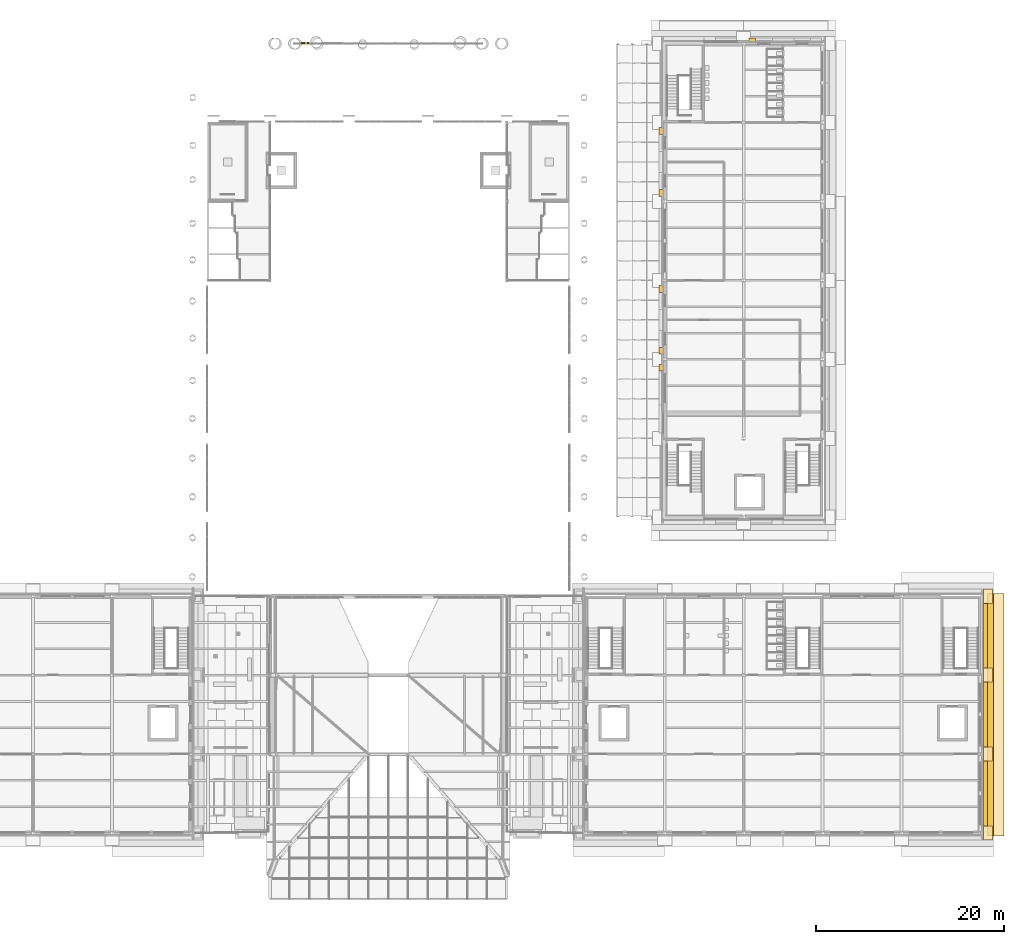
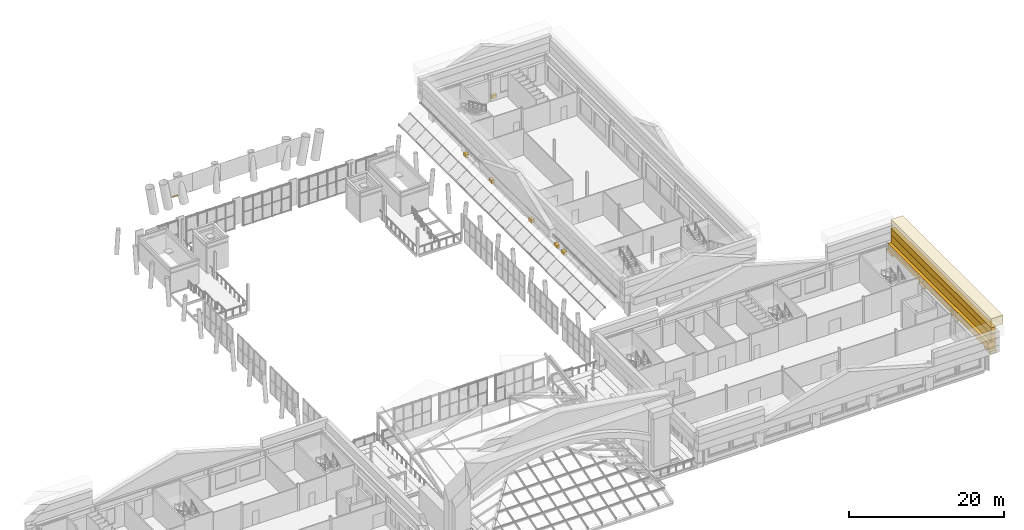
# One storey, part 74 of 76: 15 coverings.
"""IFC4 building model written with IfcOpenShell, lengths in metres."""

from ifc_helpers import new_model, si_unit, direction, frame, origin, origin_2d, place, context, subcontext, project, spatial, rectangle, extrude, material, layer, layer_set, material_profile, profile_set, type_object, element, save


model = new_model("IFC4")

# Units and contexts
model_context = context("Model", 3, precision=1e-05, world=origin(), true_north=direction((0.0, 1.0)))
body_context = subcontext(model_context, "Body", "Model", "MODEL_VIEW")
ifc_project = project(units=[si_unit("LENGTHUNIT", "METRE"), si_unit("AREAUNIT", "SQUARE_METRE"), si_unit("VOLUMEUNIT", "CUBIC_METRE"), si_unit("PLANEANGLEUNIT", "RADIAN"), si_unit("MASSUNIT", "GRAM", prefix="KILO")], contexts=[model_context])

# Site, building, storey
site_placement = place(None, origin())
site = spatial("IfcSite", under=ifc_project, at=site_placement, CompositionType="ELEMENT")
building_placement = place(site_placement, origin())
building = spatial("IfcBuilding", under=site, at=building_placement, Name="Sava Quay Ferry Terminal", CompositionType="ELEMENT")
storey_placement = place(building_placement, frame((0.0, 0.0, 10.800048828125)))
storey = spatial("IfcBuildingStorey", under=building, at=storey_placement, Name="L02", CompositionType="ELEMENT", Elevation=10.800048828125)

# Coverings
ifc_material_1 = material(Name="Limestone Mutalj", Category="masonry")
ifc_layer_1 = layer(ifc_material_1, 1.75)
ifc_layer_set_1 = layer_set([ifc_layer_1], Name="Limestone Mutalj")
covering_type_1 = type_object("IfcCoveringType", Name="Attic crown cornice 1400", PredefinedType="MOLDING", material=ifc_layer_set_1)
covering_1_placement = place(storey_placement, frame((127.625, 37.800048828125, 6.39990234375), z_axis=(0.0, 0.0, 1.0), x_axis=(1.0, 0.0, 0.0)))
element("IfcCovering", 1, at=covering_1_placement, inside=storey, type_object=covering_type_1, Name="Attic crown cornice", PredefinedType="MOLDING", context=body_context, shape_type="SweptSolid", body=[
    extrude(rectangle(XDim=1.75, YDim=25.820068359375, at=origin_2d()), origin(), (0.0, 0.0, 1.0), 1.39990234375),
])
ifc_material_2 = material(Name="Limestone Mutalj", Category="masonry")
ifc_layer_2 = layer(ifc_material_2, 0.64990234375)
ifc_layer_set_2 = layer_set([ifc_layer_2], Name="Limestone Mutalj")
covering_type_2 = type_object("IfcCoveringType", Name="Attic frieze 1000", PredefinedType="CLADDING", material=ifc_layer_set_2)
covering_2_placement = place(storey_placement, frame((127.074951171875, 37.800048828125, 5.39990234375), z_axis=(0.0, 0.0, 1.0), x_axis=(1.0, 0.0, 0.0)))
element("IfcCovering", 2, at=covering_2_placement, inside=storey, type_object=covering_type_2, Name="Attic frieze", PredefinedType="CLADDING", context=body_context, shape_type="SweptSolid", body=[
    extrude(rectangle(XDim=0.64990234375, YDim=25.820068359375, at=origin_2d()), origin(), (0.0, 0.0, 1.0), 1.0),
])
ifc_material_3 = material(Name="Limestone Mutalj", Category="masonry")
ifc_layer_3 = layer(ifc_material_3, 0.64990234375)
ifc_layer_set_3 = layer_set([ifc_layer_3], Name="Limestone Mutalj")
covering_type_3 = type_object("IfcCoveringType", Name="Attic parapet 650", PredefinedType="MOLDING", material=ifc_layer_set_3)
covering_3_placement = place(storey_placement, frame((127.074951171875, 37.800048828125, 4.2001953125), z_axis=(0.0, 0.0, 1.0), x_axis=(1.0, 0.0, 0.0)))
element("IfcCovering", 3, at=covering_3_placement, inside=storey, type_object=covering_type_3, Name="Attic parapet P E", PredefinedType="MOLDING", context=body_context, shape_type="SweptSolid", body=[
    extrude(rectangle(XDim=0.64990234375, YDim=25.820068359375, at=origin_2d()), origin(), (0.0, 0.0, 1.0), 1.199951171875),
])
ifc_material_4 = material(Name="Limestone Mutalj", Category="masonry")
ifc_layer_4 = layer(ifc_material_4, 1.10009765625)
ifc_layer_set_4 = layer_set([ifc_layer_4], Name="Limestone Mutalj")
covering_type_4 = type_object("IfcCoveringType", Name="Eaves cornice 1100", PredefinedType="MOLDING", material=ifc_layer_set_4)
covering_4_placement = place(storey_placement, frame((126.85009765625, 37.800048828125, 3.099853515625), z_axis=(0.0, 0.0, 1.0), x_axis=(1.0, 0.0, 0.0)))
element("IfcCovering", 4, at=covering_4_placement, inside=storey, type_object=covering_type_4, Name="Eaves cornice P E", PredefinedType="MOLDING", context=body_context, shape_type="SweptSolid", body=[
    extrude(rectangle(XDim=1.10009765625, YDim=25.820068359375, at=origin_2d()), origin(), (0.0, 0.0, 1.0), 1.10009765625),
])
ifc_material_5 = material(Name="Limestone Mutalj", Category="masonry")
ifc_layer_5 = layer(ifc_material_5, 1.0)
ifc_layer_set_5 = layer_set([ifc_layer_5], Name="Limestone Mutalj")
covering_type_5 = type_object("IfcCoveringType", Name="Pilaster capital block 1500", PredefinedType="MOLDING", material=ifc_layer_set_5)
for number, where, z_axis, x_axis, name in (
    (5, (126.800048828125, 25.199951171875, 2.699951171875), (0.0, 0.0, 1.0), (1.0, 0.0, 0.0), "Giant-order capital"),
    (6, (126.800048828125, 33.60009765625, 2.699951171875), (0.0, 0.0, 1.0), (1.0, 0.0, 0.0), "Giant-order capital"),
    (7, (126.800048828125, 42.0, 2.699951171875), (0.0, 0.0, 1.0), (1.0, 0.0, 0.0), "Giant-order capital"),
    (8, (126.800048828125, 50.39990234375, 2.699951171875), (0.0, 0.0, 1.0), (1.0, 0.0, 0.0), "Giant-order capital"),
):
    element("IfcCovering", number, at=place(storey_placement, frame(where, z_axis=z_axis, x_axis=x_axis)), inside=storey, type_object=covering_type_5, Name=name, PredefinedType="MOLDING", context=body_context, shape_type="SweptSolid", body=[
        extrude(rectangle(XDim=1.0, YDim=1.5, at=origin_2d()), origin(), (0.0, 0.0, 1.0), 0.39990234375),
    ])
ifc_material_6 = material(Name="Limestone Mutalj", Category="masonry")
ifc_layer_6 = layer(ifc_material_6, 0.449951171875)
ifc_layer_set_6 = layer_set([ifc_layer_6], Name="Limestone Mutalj")
covering_type_6 = type_object("IfcCoveringType", Name="Projecting string course 500", PredefinedType="MOLDING", material=ifc_layer_set_6)
covering_5_placement = place(storey_placement, frame((101.706298828125, 109.5849609375, 0.0), z_axis=(0.0, 0.0, 1.0), x_axis=(1.0, 0.0, 0.0)))
element("IfcCovering", 9, at=covering_5_placement, inside=storey, type_object=covering_type_6, Name="Projecting string course", PredefinedType="MOLDING", context=body_context, shape_type="SweptSolid", body=[
    extrude(rectangle(XDim=0.71240234375, YDim=0.449951171875, at=origin_2d()), origin(), (0.0, 0.0, 1.0), 0.5),
])
covering_6_placement = place(storey_placement, frame((92.02490234375, 74.693603515625, 0.0), z_axis=(0.0, 0.0, 1.0), x_axis=(1.0, 0.0, 0.0)))
element("IfcCovering", 10, at=covering_6_placement, inside=storey, type_object=covering_type_6, Name="Projecting string course", PredefinedType="MOLDING", context=body_context, shape_type="SweptSolid", body=[
    extrude(rectangle(XDim=0.449951171875, YDim=0.71240234375, at=origin_2d()), origin(), (0.0, 0.0, 1.0), 0.5),
])
for number, where, z_axis, x_axis, name in (
    (11, (92.02490234375, 76.50927734375, 0.0), (0.0, 0.0, 1.0), (1.0, 0.0, 0.0), "Projecting string course"),
    (12, (92.02490234375, 83.0908203125, 0.0), (0.0, 0.0, 1.0), (1.0, 0.0, 0.0), "Projecting string course"),
    (13, (92.02490234375, 93.309326171875, 0.0), (0.0, 0.0, 1.0), (1.0, 0.0, 0.0), "Projecting string course"),
    (14, (92.02490234375, 99.890625, 0.0), (0.0, 0.0, 1.0), (1.0, 0.0, 0.0), "Projecting string course"),
):
    element("IfcCovering", number, at=place(storey_placement, frame(where, z_axis=z_axis, x_axis=x_axis)), inside=storey, type_object=covering_type_6, Name=name, PredefinedType="MOLDING", context=body_context, shape_type="SweptSolid", body=[
        extrude(rectangle(XDim=0.449951171875, YDim=0.71875, at=origin_2d()), origin(), (0.0, 0.0, 1.0), 0.5),
    ])
ifc_material_7 = material(Name="Steel S355", Category="steel")
ifc_material_profile = material_profile(ifc_material_7, rectangle(XDim=0.139892578125, YDim=0.1201171875, at=origin_2d()), Name="Strip 140 x 120")
ifc_profile_set = profile_set([ifc_material_profile], Name="Steel S355")
covering_type_7 = type_object("IfcCoveringType", Name="Prow glazing bar 140 x 120", PredefinedType="CLADDING", material=ifc_profile_set)
covering_7_placement = place(storey_placement, frame((54.5185546875, 109.260009765625, 1.393310546875), z_axis=(-1.0, 0.0, 0.0), x_axis=(0.0, 0.0, 1.0)))
element("IfcCovering", 15, at=covering_7_placement, inside=storey, type_object=covering_type_7, Name="Prow glazing bar", PredefinedType="CLADDING", context=body_context, shape_type="SweptSolid", body=[
    extrude(rectangle(XDim=0.139892578125, YDim=0.1201171875, at=origin_2d()), origin(), (0.0, 0.0, 1.0), 0.802734375),
])

save(model, "model.ifc")
